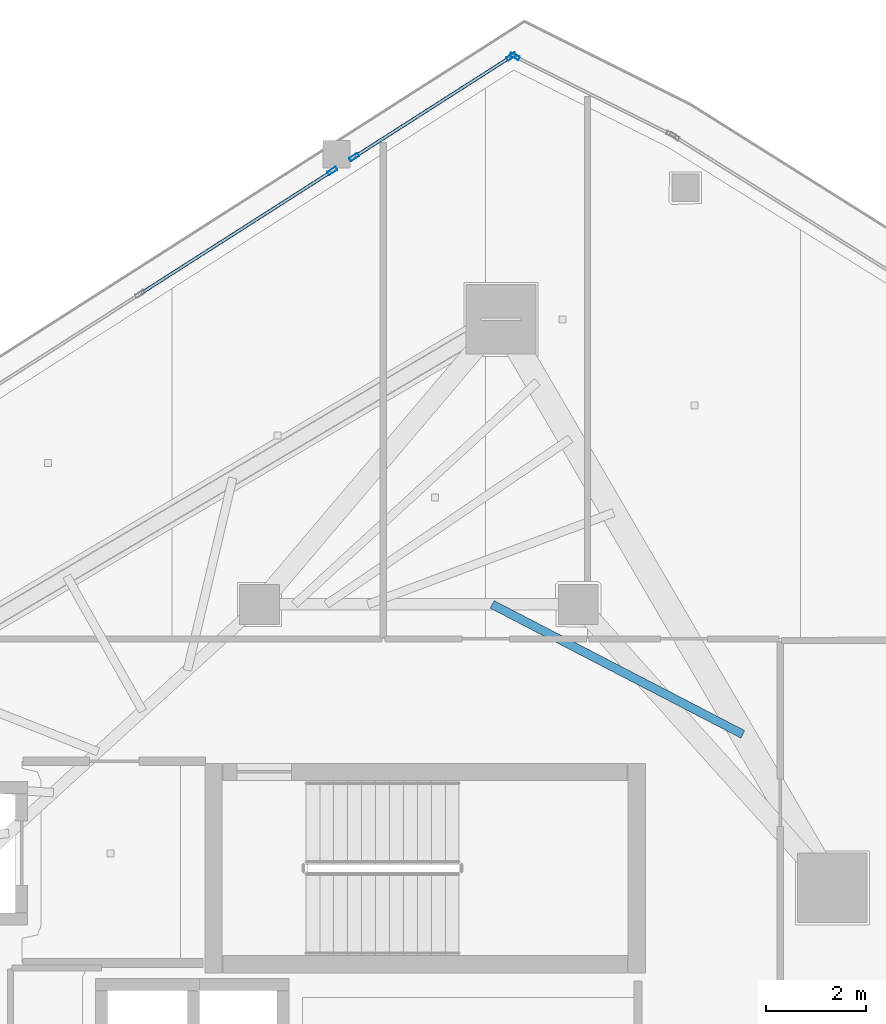
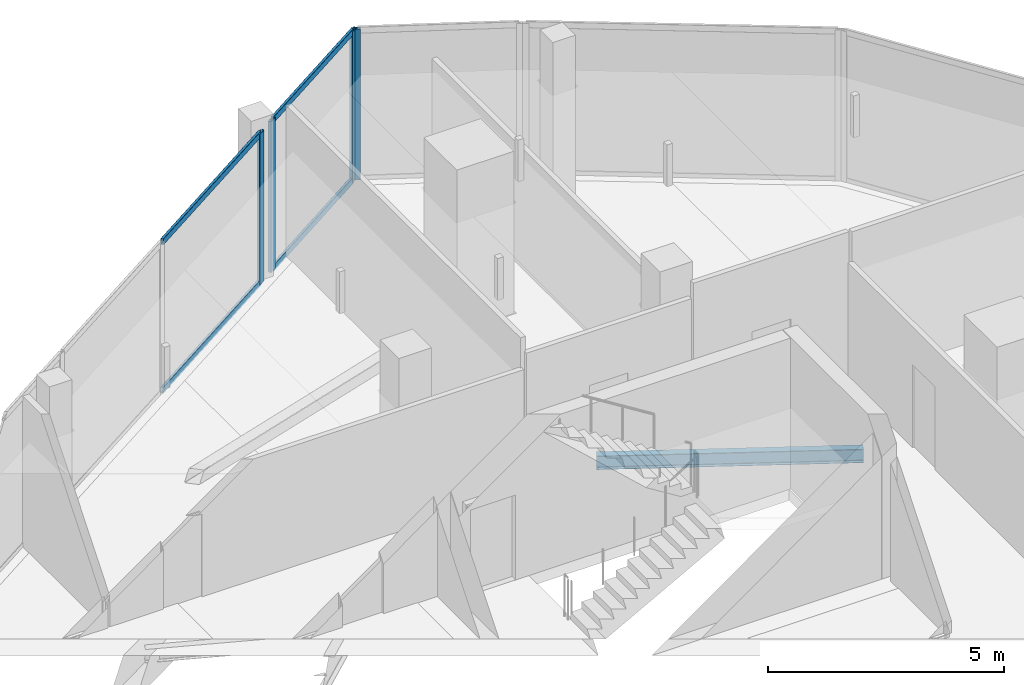
# One storey, part 17 of 30: 8 members, 1 beam, 3 elements without a shape of their own.
"""IFC4 building model written with IfcOpenShell, lengths in metres."""

import ifcopenshell
import ifcopenshell.guid

model = None  # the IFC model being written
_history = None  # IfcOwnerHistory: only IFC2X3 demands one
_inside = {}  # id of a spatial element -> (the spatial element, [elements in it])
_under = {}  # id of a project, library or spatial element -> (it, [spatial elements below it])
_declared = {}  # id of a project -> (the project, [libraries it declares])
_typed = {}  # id of a type object -> (the type object, [elements of that type])
_made_of = {}  # id of a material, layer set ... -> (it, [elements and type objects made of it])


def new_model(schema):
    """Start an empty IFC model of exactly this schema.

    Asked for "IFC4X3", IfcOpenShell would pick the latest addendum, in which some entities
    have other attributes; the version numbers below select the first issue.
    IFC2X3 requires an IfcOwnerHistory on every rooted entity: one is made here for all.
    """
    global model, _history
    if schema == "IFC4X3":
        model = ifcopenshell.file(schema_version=(4, 3, 0, 0))
    else:
        model = ifcopenshell.file(schema=schema)
    _inside.clear()
    _under.clear()
    _declared.clear()
    _typed.clear()
    _made_of.clear()
    _history = None
    if model.schema == "IFC2X3":
        org = make("IfcOrganization", Name="unknown")
        user = make(
            "IfcPersonAndOrganization",
            ThePerson=make("IfcPerson", FamilyName="unknown"),
            TheOrganization=org,
        )
        app = make(
            "IfcApplication",
            ApplicationDeveloper=org,
            Version="unknown",
            ApplicationFullName="unknown",
            ApplicationIdentifier="unknown",
        )
        _history = make(
            "IfcOwnerHistory",
            OwningUser=user,
            OwningApplication=app,
            ChangeAction="ADDED",
            CreationDate=0,
        )
    return model


def make(cls, **values):
    """One entity of the class cls with the attributes given. An attribute that is None is left unset."""
    return model.create_entity(
        cls, **{name: value for name, value in values.items() if value is not None}
    )


def rooted(cls, **values):
    """An entity with a GlobalId (a new one), such as an element, a storey or a relation."""
    return make(cls, GlobalId=ifcopenshell.guid.new(), OwnerHistory=_history, **values)


def si_unit(unit_type, name, prefix=None):
    """IfcSIUnit, for example si_unit("LENGTHUNIT", "METRE", prefix="MILLI")."""
    return make("IfcSIUnit", UnitType=unit_type, Prefix=prefix, Name=name)


def assignment(units):
    """IfcUnitAssignment: the units of a project."""
    return None if units is None else make("IfcUnitAssignment", Units=units)


def point(xyz):
    """IfcCartesianPoint."""
    return None if xyz is None else make("IfcCartesianPoint", Coordinates=xyz)


def direction(xyz):
    """IfcDirection."""
    return None if xyz is None else make("IfcDirection", DirectionRatios=xyz)


def frame(location, z_axis=None, x_axis=None):
    """IfcAxis2Placement3D, a coordinate frame: its origin and axes. An axis left out is left unset."""
    return make(
        "IfcAxis2Placement3D",
        Location=point(location),
        Axis=direction(z_axis),
        RefDirection=direction(x_axis),
    )


def frame_2d(location, x_axis=None):
    """IfcAxis2Placement2D, a coordinate frame in the plane: its origin and x axis."""
    return make(
        "IfcAxis2Placement2D", Location=point(location), RefDirection=direction(x_axis)
    )


def origin():
    """The frame at (0, 0, 0) with its axes left unset."""
    return frame((0.0, 0.0, 0.0))


def origin_2d():
    """The frame at (0, 0) in the plane with its x axis left unset."""
    return frame_2d((0.0, 0.0))


def place(relative_to, where):
    """IfcLocalPlacement: puts the frame where relative to a parent placement (None: the world)."""
    return make(
        "IfcLocalPlacement", PlacementRelTo=relative_to, RelativePlacement=where
    )


def context(
    kind, dimensions, precision=None, world=None, true_north=None, identifier=None
):
    """IfcGeometricRepresentationContext, for example the 3D "Model" context."""
    return make(
        "IfcGeometricRepresentationContext",
        ContextIdentifier=identifier,
        ContextType=kind,
        CoordinateSpaceDimension=dimensions,
        Precision=precision,
        WorldCoordinateSystem=world,
        TrueNorth=true_north,
    )


def subcontext(parent, identifier, kind, view, scale=None):
    """IfcGeometricRepresentationSubContext, for example "Body" below "Model"."""
    return make(
        "IfcGeometricRepresentationSubContext",
        ContextIdentifier=identifier,
        ContextType=kind,
        ParentContext=parent,
        TargetScale=scale,
        TargetView=view,
    )


def project(units=None, contexts=None):
    """IfcProject with its units and contexts."""
    return rooted(
        "IfcProject",
        Name="project",
        RepresentationContexts=contexts,
        UnitsInContext=assignment(units),
    )


def spatial(cls, under=None, at=None, **own):
    """A site, building, storey or space (cls), placed at a placement, below another one or the project."""
    s = rooted(cls, ObjectPlacement=at, **own)
    if under is not None:
        _under.setdefault(under.id(), (under, []))[1].append(s)
    return s


def profile(cls, at=None, kind="AREA", **sizes):
    """A parametric profile (cls). Its sizes go by their IFC names, for example OverallWidth=200.0."""
    return make(cls, ProfileType=kind, Position=at, **sizes)


def hollow_rectangle(**sizes):
    """IfcRectangleHollowProfileDef."""
    return profile("IfcRectangleHollowProfileDef", **sizes)


def i_section(**sizes):
    """IfcIShapeProfileDef."""
    return profile("IfcIShapeProfileDef", **sizes)


def extrude(swept, where, along, depth):
    """IfcExtrudedAreaSolid: the profile swept, set in the frame where, extruded along a direction by depth."""
    return make(
        "IfcExtrudedAreaSolid",
        SweptArea=swept,
        Position=where,
        ExtrudedDirection=direction(along),
        Depth=depth,
    )


def shape(context_of_items, identifier, shape_type, items):
    """IfcShapeRepresentation: the items that make up one representation, for example the "Body"."""
    return make(
        "IfcShapeRepresentation",
        ContextOfItems=context_of_items,
        RepresentationIdentifier=identifier,
        RepresentationType=shape_type,
        Items=items,
    )


def material(Name=None, Category=None):
    """IfcMaterial."""
    return make("IfcMaterial", Name=Name, Category=Category)


def layer(
    of_material, thickness, ventilated=None, Name=None, Category=None, Priority=None
):
    """IfcMaterialLayer: one layer of a wall or slab, of a material (None: an air gap)."""
    return make(
        "IfcMaterialLayer",
        Material=of_material,
        LayerThickness=thickness,
        IsVentilated=ventilated,
        Name=Name,
        Category=Category,
        Priority=Priority,
    )


def layer_set(layers, Name=None):
    """IfcMaterialLayerSet."""
    return make("IfcMaterialLayerSet", MaterialLayers=layers, LayerSetName=Name)


def material_profile(
    of_material, cross_section, Name=None, Category=None, Priority=None
):
    """IfcMaterialProfile: a cross section and its material."""
    return make(
        "IfcMaterialProfile",
        Name=Name,
        Material=of_material,
        Profile=cross_section,
        Priority=Priority,
        Category=Category,
    )


def profile_set(profiles, Name=None, composite=None):
    """IfcMaterialProfileSet."""
    return make(
        "IfcMaterialProfileSet",
        Name=Name,
        MaterialProfiles=profiles,
        CompositeProfile=composite,
    )


def made_of(thing, what):
    """Note that an element or type object is made of a material, layer set ...; save() writes the relation."""
    if what is not None:
        _made_of.setdefault(what.id(), (what, []))[1].append(thing)
    return thing


def type_object(cls, material=None, **own):
    """A type object (cls), such as IfcWallType, which elements share."""
    return made_of(rooted(cls, **own), material)


def element(
    cls,
    number,
    at=None,
    inside=None,
    cuts=None,
    type_object=None,
    material=None,
    context=None,
    identifier="Body",
    shape_type=None,
    held_by="IfcProductDefinitionShape",
    body=None,
    shapes=None,
    **own,
):
    """One element of the class cls, such as IfcWall. Its Tag is "e" and its number.

    at: its placement. inside: the storey or other place that contains it. cuts: it is an
    opening in that element (IfcRelVoidsElement). A single representation is given by context,
    identifier, shape_type and body (its items); several are given by shapes. held_by: the class
    of the entity that holds the representations. save() writes the other relations.
    """
    e = rooted(cls, Tag="e%d" % number, ObjectPlacement=at, **own)
    if body is not None:
        shapes = [shape(context, identifier, shape_type, body)]
    if shapes is not None:
        e.Representation = make(held_by, Representations=shapes)
    if inside is not None:
        _inside.setdefault(inside.id(), (inside, []))[1].append(e)
    if cuts is not None:
        rooted(
            "IfcRelVoidsElement", RelatingBuildingElement=cuts, RelatedOpeningElement=e
        )
    if type_object is not None:
        _typed.setdefault(type_object.id(), (type_object, []))[1].append(e)
    return made_of(e, material)


def aggregate(whole, parts):
    """IfcRelAggregates: a whole, such as a stair, and the parts it consists of."""
    return rooted("IfcRelAggregates", RelatingObject=whole, RelatedObjects=parts)


def save(model, path):
    """Write the relations noted so far, then the file.

    IfcRelAggregates (storeys below a building ...), IfcRelContainedInSpatialStructure (elements
    in a storey), IfcRelDefinesByType, IfcRelAssociatesMaterial and IfcRelDeclares: one each for
    every whole, place, type object, material and project.
    """
    for whole, parts in _under.values():
        aggregate(whole, parts)
    for where, things in _inside.values():
        rooted(
            "IfcRelContainedInSpatialStructure",
            RelatedElements=things,
            RelatingStructure=where,
        )
    for kind, things in _typed.values():
        rooted("IfcRelDefinesByType", RelatedObjects=things, RelatingType=kind)
    for what, things in _made_of.values():
        rooted("IfcRelAssociatesMaterial", RelatedObjects=things, RelatingMaterial=what)
    for by, libraries in _declared.values():
        rooted("IfcRelDeclares", RelatingContext=by, RelatedDefinitions=libraries)
    model.write(path)


model = new_model("IFC4")

# Units and contexts
model_context = context("Model", 3, precision=1e-05, world=origin(), true_north=direction((0.0, 1.0)))
body_context = subcontext(model_context, "Body", "Model", "MODEL_VIEW")
ifc_project = project(units=[si_unit("LENGTHUNIT", "METRE"), si_unit("AREAUNIT", "SQUARE_METRE"), si_unit("VOLUMEUNIT", "CUBIC_METRE"), si_unit("PLANEANGLEUNIT", "RADIAN"), si_unit("MASSUNIT", "GRAM", prefix="KILO")], contexts=[model_context])

# Site, building, storey
site_placement = place(None, origin())
site = spatial("IfcSite", under=ifc_project, at=site_placement, CompositionType="ELEMENT")
building_placement = place(site_placement, origin())
building = spatial("IfcBuilding", under=site, at=building_placement, Name="Qorvath Tower", CompositionType="ELEMENT")
storey_placement = place(building_placement, frame((0.0, 0.0, 301.800048828125)))
storey = spatial("IfcBuildingStorey", under=building, at=storey_placement, Name="L70", CompositionType="ELEMENT", Elevation=301.800048828125)

# Beam
ifc_material_1 = material(Name="Steel ASTM A992 Grade 50", Category="steel")
ifc_material_profile_1 = material_profile(ifc_material_1, i_section(OverallWidth=0.1708984375, OverallDepth=0.35107421875, WebThickness=0.0068359375, FlangeThickness=0.009765625, FilletRadius=0.010009765625, at=origin_2d()), Name="W14x30")
ifc_profile_set_1 = profile_set([ifc_material_profile_1], Name="Steel ASTM A992 Grade 50")
beam_type = type_object("IfcBeamType", Name="BM-FJ4", PredefinedType="JOIST", material=ifc_profile_set_1)
beam_placement = place(storey_placement, frame((-18.927978515625, 11.449951171875, -0.465576171875), z_axis=(0.887840529015, -0.460151274082, 0.0), x_axis=(0.460151274082, 0.887840529015, 0.0)))
element("IfcBeam", 1, at=beam_placement, inside=storey, type_object=beam_type, Name="Composite Floor Joist NE2 L70", PredefinedType="JOIST", context=body_context, shape_type="SweptSolid", body=[
    extrude(i_section(OverallWidth=0.1708984375, OverallDepth=0.35107421875, WebThickness=0.0068359375, FlangeThickness=0.009765625, FilletRadius=0.010009765625, at=origin_2d()), origin(), (0.0, 0.0, 1.0), 5.670654296875),
])

# Curtain wall, member
ifc_material_2 = material(Name="Anodised aluminium and triple low-E glass", Category="aluminium")
ifc_layer = layer(ifc_material_2, 0.179931640625)
ifc_layer_set = layer_set([ifc_layer], Name="CW-SYS-4")
curtain_wall_type = type_object("IfcCurtainWallType", Name="CW-SYS-4", PredefinedType="NOTDEFINED", material=ifc_layer_set)
curtain_wall_1_placement = place(storey_placement, origin())
curtain_wall_1 = element("IfcCurtainWall", 2, at=curtain_wall_1_placement, inside=storey, type_object=curtain_wall_type, Name="Curtain Wall CW-4 CW-T-L70-15.1", PredefinedType="NOTDEFINED")
ifc_material_3 = material(Name="Anodised aluminium 6063-T6", Category="aluminium")
ifc_material_profile_2 = material_profile(ifc_material_3, hollow_rectangle(XDim=0.074951171875, YDim=0.199951171875, WallThickness=0.00390625, InnerFilletRadius=0.00390625, OuterFilletRadius=0.008056640625, at=origin_2d()), Name="CWM 200x75")
ifc_profile_set_2 = profile_set([ifc_material_profile_2], Name="Anodised aluminium 6063-T6")
member_type_1 = type_object("IfcMemberType", Name="CWM-200", PredefinedType="MULLION", material=ifc_profile_set_2)
member_1_placement = place(storey_placement, frame((-18.474853515625, 22.457275390625, 0.0), z_axis=(0.0, 0.0, 1.0), x_axis=(-0.447213595499, -0.894427191001, 0.0)))
member_1 = element("IfcMember", 3, at=member_1_placement, type_object=member_type_1, Name="CW-4 mullion 2", PredefinedType="MULLION", context=body_context, shape_type="SweptSolid", body=[
    extrude(hollow_rectangle(XDim=0.074951171875, YDim=0.199951171875, WallThickness=0.00390625, InnerFilletRadius=0.00390625, OuterFilletRadius=0.008056640625, at=origin_2d()), origin(), (0.0, 0.0, 1.0), 3.909912109375),
])
aggregate(curtain_wall_1, [member_1])

# Curtain wall, members
curtain_wall_2_placement = place(storey_placement, origin())
curtain_wall_2 = element("IfcCurtainWall", 4, at=curtain_wall_2_placement, inside=storey, type_object=curtain_wall_type, Name="Curtain Wall CW-4 CW-T-L70-16.1", PredefinedType="NOTDEFINED")
member_2_placement = place(storey_placement, frame((-18.5400390625, 22.453857421875, 0.0), z_axis=(0.0, 0.0, 1.0), x_axis=(0.538533075668, -0.842604371227, 0.0)))
member_2 = element("IfcMember", 5, at=member_2_placement, type_object=member_type_1, Name="CW-4 mullion 1", PredefinedType="MULLION", context=body_context, shape_type="SweptSolid", body=[
    extrude(hollow_rectangle(XDim=0.074951171875, YDim=0.199951171875, WallThickness=0.00390625, InnerFilletRadius=0.00390625, OuterFilletRadius=0.008056640625, at=origin_2d()), origin(), (0.0, 0.0, 1.0), 3.909912109375),
])
member_3_placement = place(storey_placement, frame((-21.70166015625, 20.433349609375, 0.0), z_axis=(0.0, 0.0, 1.0), x_axis=(0.538533075668, -0.842604371227, 0.0)))
member_3 = element("IfcMember", 6, at=member_3_placement, type_object=member_type_1, Name="CW-4 mullion 2", PredefinedType="MULLION", context=body_context, shape_type="SweptSolid", body=[
    extrude(hollow_rectangle(XDim=0.074951171875, YDim=0.199951171875, WallThickness=0.00390625, InnerFilletRadius=0.00390625, OuterFilletRadius=0.008056640625, at=origin_2d()), origin(), (0.0, 0.0, 1.0), 3.909912109375),
])

# Curtain wall, member
curtain_wall_3_placement = place(storey_placement, origin())
curtain_wall_3 = element("IfcCurtainWall", 7, at=curtain_wall_3_placement, inside=storey, type_object=curtain_wall_type, Name="Curtain Wall CW-4 CW-T-L70-16.2", PredefinedType="NOTDEFINED")
member_4_placement = place(storey_placement, frame((-22.1376953125, 20.154541015625, 0.0), z_axis=(0.0, 0.0, 1.0), x_axis=(0.538534157957, -0.842603679504, 0.0)))
member_4 = element("IfcMember", 8, at=member_4_placement, type_object=member_type_1, Name="CW-4 mullion 1", PredefinedType="MULLION", context=body_context, shape_type="SweptSolid", body=[
    extrude(hollow_rectangle(XDim=0.074951171875, YDim=0.199951171875, WallThickness=0.00390625, InnerFilletRadius=0.00390625, OuterFilletRadius=0.008056640625, at=origin_2d()), origin(), (0.0, 0.0, 1.0), 3.909912109375),
])

# Member
ifc_material_4 = material(Name="Anodised aluminium 6063-T6", Category="aluminium")
ifc_material_profile_3 = material_profile(ifc_material_4, hollow_rectangle(XDim=0.06494140625, YDim=0.159912109375, WallThickness=0.00341796875, InnerFilletRadius=0.00341796875, OuterFilletRadius=0.007080078125, at=origin_2d()), Name="CWT 160x65")
ifc_profile_set_3 = profile_set([ifc_material_profile_3], Name="Anodised aluminium 6063-T6")
member_type_2 = type_object("IfcMemberType", Name="CWT-160", PredefinedType="USERDEFINED", material=ifc_profile_set_3)
member_5_placement = place(storey_placement, frame((-18.57177734375, 22.43359375, 0.032470703125), z_axis=(-0.842590807243, -0.538554297679, 0.0), x_axis=(0.538554297679, -0.842590807243, 0.0)))
member_5 = element("IfcMember", 9, at=member_5_placement, type_object=member_type_2, Name="CW-4 transom 1.1", ObjectType="TRANSOM", PredefinedType="USERDEFINED", context=body_context, shape_type="SweptSolid", body=[
    extrude(hollow_rectangle(XDim=0.06494140625, YDim=0.159912109375, WallThickness=0.00341796875, InnerFilletRadius=0.00341796875, OuterFilletRadius=0.007080078125, at=origin_2d()), origin(), (0.0, 0.0, 1.0), 3.677001953125),
])

member_6_placement = place(storey_placement, frame((-18.57177734375, 22.43359375, 3.87744140625), z_axis=(-0.842590807243, -0.538554297679, 0.0), x_axis=(0.538554297679, -0.842590807243, 0.0)))
member_6 = element("IfcMember", 10, at=member_6_placement, type_object=member_type_2, Name="CW-4 transom 1.2", ObjectType="TRANSOM", PredefinedType="USERDEFINED", context=body_context, shape_type="SweptSolid", body=[
    extrude(hollow_rectangle(XDim=0.06494140625, YDim=0.159912109375, WallThickness=0.00341796875, InnerFilletRadius=0.00341796875, OuterFilletRadius=0.007080078125, at=origin_2d()), origin(), (0.0, 0.0, 1.0), 3.677001953125),
])

aggregate(curtain_wall_2, [member_2, member_3, member_5, member_6])

member_7_placement = place(storey_placement, frame((-22.169189453125, 20.134521484375, 0.032470703125), z_axis=(-0.84258702257, -0.538560218913, 0.0), x_axis=(0.538560218913, -0.84258702257, 0.0)))
member_7 = element("IfcMember", 11, at=member_7_placement, type_object=member_type_2, Name="CW-4 transom 1.1", ObjectType="TRANSOM", PredefinedType="USERDEFINED", context=body_context, shape_type="SweptSolid", body=[
    extrude(hollow_rectangle(XDim=0.06494140625, YDim=0.159912109375, WallThickness=0.00341796875, InnerFilletRadius=0.00341796875, OuterFilletRadius=0.007080078125, at=origin_2d()), origin(), (0.0, 0.0, 1.0), 4.50732421875),
])

member_8_placement = place(storey_placement, frame((-22.169189453125, 20.134521484375, 3.87744140625), z_axis=(-0.84258702257, -0.538560218913, 0.0), x_axis=(0.538560218913, -0.84258702257, 0.0)))
member_8 = element("IfcMember", 12, at=member_8_placement, type_object=member_type_2, Name="CW-4 transom 1.2", ObjectType="TRANSOM", PredefinedType="USERDEFINED", context=body_context, shape_type="SweptSolid", body=[
    extrude(hollow_rectangle(XDim=0.06494140625, YDim=0.159912109375, WallThickness=0.00341796875, InnerFilletRadius=0.00341796875, OuterFilletRadius=0.007080078125, at=origin_2d()), origin(), (0.0, 0.0, 1.0), 4.50732421875),
])

aggregate(curtain_wall_3, [member_4, member_7, member_8])

save(model, "model.ifc")
